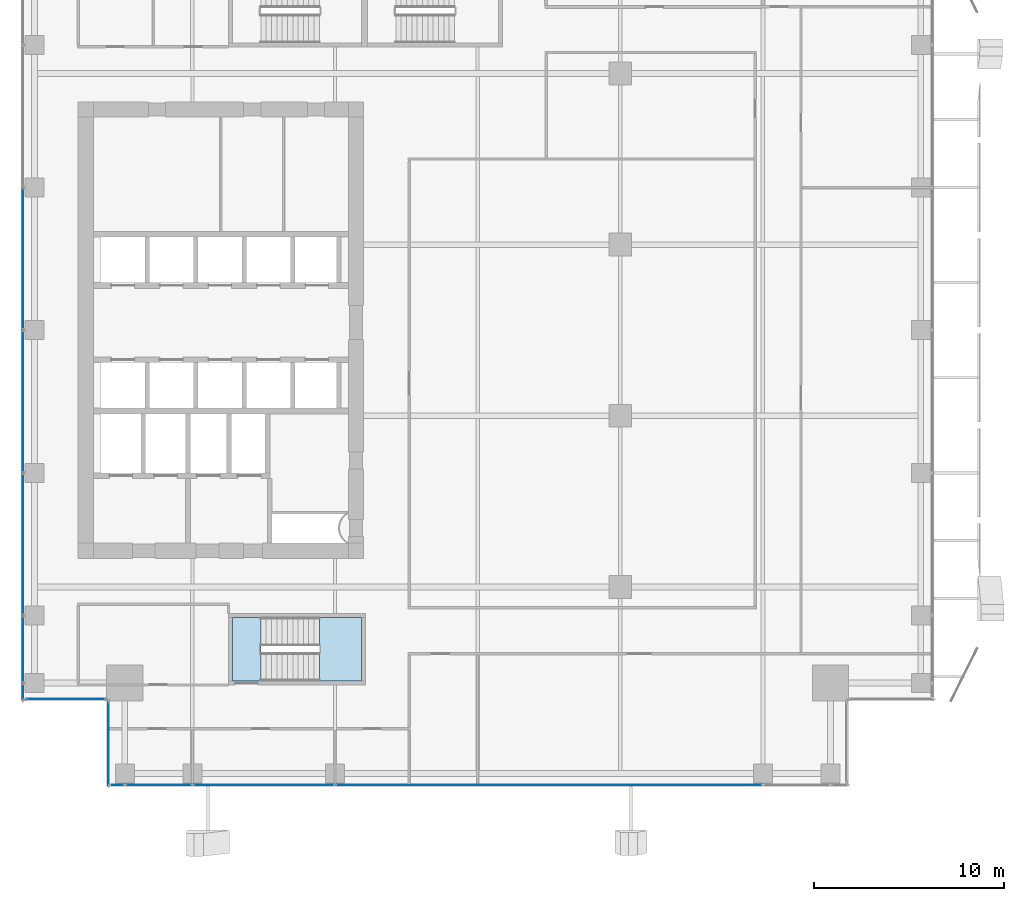
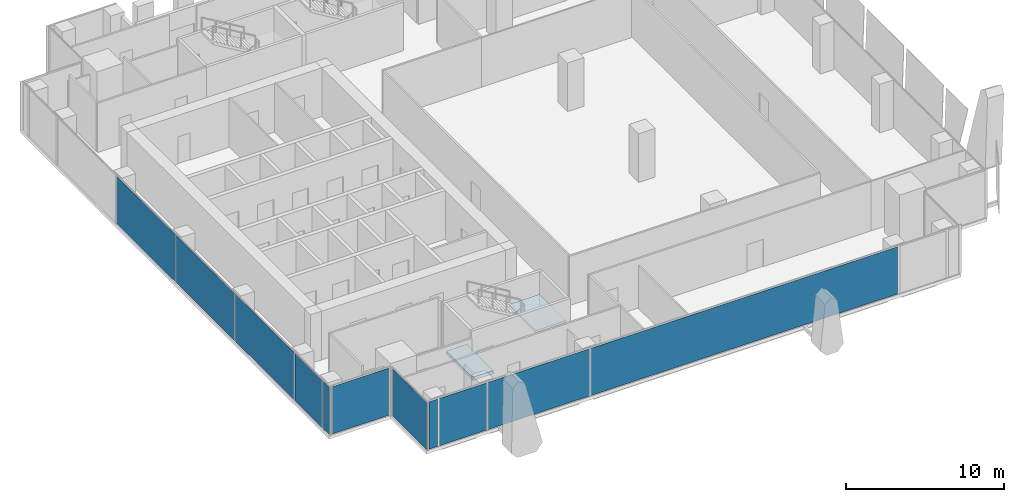
# One storey, part 27 of 38: 11 plates, 2 slabs, 5 elements without a shape of their own.
"""IFC4 building model written with IfcOpenShell, lengths in metres."""

from ifc_helpers import new_model, si_unit, direction, frame, origin, origin_2d, place, context, subcontext, project, spatial, polyline, rectangle, outline, extrude, source, transform, mapped, material, layer, layer_set, type_object, element, aggregate, save


model = new_model("IFC4")

# Units and contexts
model_context = context("Model", 3, precision=1e-05, world=origin(), true_north=direction((0.0, 1.0)))
body_context = subcontext(model_context, "Body", "Model", "MODEL_VIEW")
ifc_project = project(units=[si_unit("LENGTHUNIT", "METRE"), si_unit("AREAUNIT", "SQUARE_METRE"), si_unit("VOLUMEUNIT", "CUBIC_METRE"), si_unit("PLANEANGLEUNIT", "RADIAN"), si_unit("MASSUNIT", "GRAM", prefix="KILO")], contexts=[model_context])

# Site, building, storey
site_placement = place(None, origin())
site = spatial("IfcSite", under=ifc_project, at=site_placement, CompositionType="ELEMENT")
building_placement = place(site_placement, origin())
building = spatial("IfcBuilding", under=site, at=building_placement, Name="Khomas Fold Tower", CompositionType="ELEMENT")
storey_placement = place(building_placement, frame((0.0, 0.0, 208.699951171875)))
storey = spatial("IfcBuildingStorey", under=building, at=storey_placement, Name="L46", CompositionType="ELEMENT", Elevation=208.699951171875)

# Curtain wall, plate
ifc_material_1 = material(Name="Aluminium framed double glazing", Category="aluminium")
curtain_wall_type = type_object("IfcCurtainWallType", Name="SK-Unitised clear-glass wall, office floors CW2", PredefinedType="NOTDEFINED", material=ifc_material_1)
curtain_wall_1_placement = place(storey_placement, origin())
curtain_wall_1 = element("IfcCurtainWall", 1, at=curtain_wall_1_placement, inside=storey, type_object=curtain_wall_type, Name="CW2 corner return L46 11", PredefinedType="NOTDEFINED")
ifc_material_2 = material(Name="Clear double glazed unit")
ifc_layer_1 = layer(ifc_material_2, 0.030029296875)
ifc_layer_set_1 = layer_set([ifc_layer_1], Name="Clear double glazed unit")
plate_type = type_object("IfcPlateType", Name="SK-Unitised clear-glass wall, office floors glass panel CW2-P", PredefinedType="CURTAIN_PANEL", material=ifc_layer_set_1)
shared_shape_1 = source(origin(), body_context, "Body", "SweptSolid", [
    extrude(rectangle(XDim=4.3798828125, YDim=0.030029296875, at=origin_2d()), origin(), (0.0, 0.0, 1.0), 3.639892578125),
])
plate_1_placement = place(storey_placement, frame((7.60009765625, 5.25, 0.0), z_axis=(0.0, 0.0, 1.0), x_axis=(0.0, -1.0, 0.0)))
plate_1 = element("IfcPlate", 2, at=plate_1_placement, type_object=plate_type, Name="CW2 glass panel 1", PredefinedType="CURTAIN_PANEL", context=body_context, shape_type="MappedRepresentation", body=[
    mapped(shared_shape_1, transform((0.0, 0.0, 0.0))),
])
aggregate(curtain_wall_1, [plate_1])

# Curtain wall, plates
curtain_wall_2_placement = place(storey_placement, origin())
curtain_wall_2 = element("IfcCurtainWall", 3, at=curtain_wall_2_placement, inside=storey, type_object=curtain_wall_type, Name="CW2 run L46 00-0", PredefinedType="NOTDEFINED")
shared_shape_2 = source(origin(), body_context, "Body", "SweptSolid", [
    extrude(rectangle(XDim=0.659912109375, YDim=0.030029296875, at=origin_2d()), origin(), (0.0, 0.0, 1.0), 3.639892578125),
])
plate_2_placement = place(storey_placement, frame((8.090087890625, 3.10009765625, 0.0), z_axis=(0.0, 0.0, 1.0), x_axis=(1.0, 0.0, 0.0)))
plate_2 = element("IfcPlate", 4, at=plate_2_placement, type_object=plate_type, Name="CW2 glass panel 1", PredefinedType="CURTAIN_PANEL", context=body_context, shape_type="MappedRepresentation", body=[
    mapped(shared_shape_2, transform((0.0, 0.0, 0.0))),
])
shared_shape_3 = source(origin(), body_context, "Body", "SweptSolid", [
    extrude(rectangle(XDim=3.489990234375, YDim=0.030029296875, at=origin_2d()), origin(), (0.0, 0.0, 1.0), 3.639892578125),
])
plate_3_placement = place(storey_placement, frame((10.22509765625, 3.10009765625, 0.0), z_axis=(0.0, 0.0, 1.0), x_axis=(1.0, 0.0, 0.0)))
plate_3 = element("IfcPlate", 5, at=plate_3_placement, type_object=plate_type, Name="CW2 glass panel 2", PredefinedType="CURTAIN_PANEL", context=body_context, shape_type="MappedRepresentation", body=[
    mapped(shared_shape_3, transform((0.0, 0.0, 0.0))),
])

# Curtain wall, plate
curtain_wall_3_placement = place(storey_placement, origin())
curtain_wall_3 = element("IfcCurtainWall", 6, at=curtain_wall_3_placement, inside=storey, type_object=curtain_wall_type, Name="CW2 run L46 09-0", PredefinedType="NOTDEFINED")
plate_4_placement = place(storey_placement, frame((3.10009765625, 10.22509765625, 0.0), z_axis=(0.0, 0.0, 1.0), x_axis=(0.0, -1.0, 0.0)))
plate_4 = element("IfcPlate", 7, at=plate_4_placement, type_object=plate_type, Name="CW2 glass panel 7", PredefinedType="CURTAIN_PANEL", context=body_context, shape_type="MappedRepresentation", body=[
    mapped(shared_shape_3, transform((0.0, 0.0, 0.0))),
])

# Plate
shared_shape_4 = source(origin(), body_context, "Body", "SweptSolid", [
    extrude(rectangle(XDim=7.43994140625, YDim=0.030029296875, at=origin_2d()), origin(), (0.0, 0.0, 1.0), 3.639892578125),
])
plate_5_placement = place(storey_placement, frame((15.75, 3.10009765625, 0.0), z_axis=(0.0, 0.0, 1.0), x_axis=(1.0, 0.0, 0.0)))
plate_5 = element("IfcPlate", 8, at=plate_5_placement, type_object=plate_type, Name="CW2 glass panel 3", PredefinedType="CURTAIN_PANEL", context=body_context, shape_type="MappedRepresentation", body=[
    mapped(shared_shape_4, transform((0.0, 0.0, 0.0))),
])

plate_6_placement = place(storey_placement, frame((3.10009765625, 30.75, 0.0), z_axis=(0.0, 0.0, 1.0), x_axis=(0.0, -1.0, 0.0)))
plate_6 = element("IfcPlate", 9, at=plate_6_placement, type_object=plate_type, Name="CW2 glass panel 4", PredefinedType="CURTAIN_PANEL", context=body_context, shape_type="MappedRepresentation", body=[
    mapped(shared_shape_4, transform((0.0, 0.0, 0.0))),
])

plate_7_placement = place(storey_placement, frame((3.10009765625, 23.25, 0.0), z_axis=(0.0, 0.0, 1.0), x_axis=(0.0, -1.0, 0.0)))
plate_7 = element("IfcPlate", 10, at=plate_7_placement, type_object=plate_type, Name="CW2 glass panel 5", PredefinedType="CURTAIN_PANEL", context=body_context, shape_type="MappedRepresentation", body=[
    mapped(shared_shape_4, transform((0.0, 0.0, 0.0))),
])

plate_8_placement = place(storey_placement, frame((3.10009765625, 15.75, 0.0), z_axis=(0.0, 0.0, 1.0), x_axis=(0.0, -1.0, 0.0)))
plate_8 = element("IfcPlate", 11, at=plate_8_placement, type_object=plate_type, Name="CW2 glass panel 6", PredefinedType="CURTAIN_PANEL", context=body_context, shape_type="MappedRepresentation", body=[
    mapped(shared_shape_4, transform((0.0, 0.0, 0.0))),
])

# Curtain wall, plate
curtain_wall_4_placement = place(storey_placement, origin())
curtain_wall_4 = element("IfcCurtainWall", 12, at=curtain_wall_4_placement, inside=storey, type_object=curtain_wall_type, Name="CW2 corner return L46 10", PredefinedType="NOTDEFINED")
shared_shape_5 = source(origin(), body_context, "Body", "SweptSolid", [
    extrude(rectangle(XDim=4.179931640625, YDim=0.030029296875, at=origin_2d()), origin(), (0.0, 0.0, 1.0), 3.639892578125),
])
plate_9_placement = place(storey_placement, frame((5.35009765625, 7.60009765625, 0.0), z_axis=(0.0, 0.0, 1.0), x_axis=(1.0, 0.0, 0.0)))
plate_9 = element("IfcPlate", 13, at=plate_9_placement, type_object=plate_type, Name="CW2 glass panel 1", PredefinedType="CURTAIN_PANEL", context=body_context, shape_type="MappedRepresentation", body=[
    mapped(shared_shape_5, transform((0.0, 0.0, 0.0))),
])
aggregate(curtain_wall_4, [plate_9])

# Plate
shared_shape_6 = source(origin(), body_context, "Body", "SweptSolid", [
    extrude(rectangle(XDim=0.860107421875, YDim=0.030029296875, at=origin_2d()), origin(), (0.0, 0.0, 1.0), 3.639892578125),
])
plate_10_placement = place(storey_placement, frame((3.10009765625, 7.989990234375, 0.0), z_axis=(0.0, 0.0, 1.0), x_axis=(0.0, -1.0, 0.0)))
plate_10 = element("IfcPlate", 14, at=plate_10_placement, type_object=plate_type, Name="CW2 glass panel 8", PredefinedType="CURTAIN_PANEL", context=body_context, shape_type="MappedRepresentation", body=[
    mapped(shared_shape_6, transform((0.0, 0.0, 0.0))),
])

aggregate(curtain_wall_3, [plate_6, plate_7, plate_8, plate_4, plate_10])

shared_shape_7 = source(origin(), body_context, "Body", "SweptSolid", [
    extrude(rectangle(XDim=22.43994140625, YDim=0.030029296875, at=origin_2d()), origin(), (0.0, 0.0, 1.0), 3.639892578125),
])
plate_11_placement = place(storey_placement, frame((30.75, 3.10009765625, 0.0), z_axis=(0.0, 0.0, 1.0), x_axis=(1.0, 0.0, 0.0)))
plate_11 = element("IfcPlate", 15, at=plate_11_placement, type_object=plate_type, Name="CW2 glass panel 4", PredefinedType="CURTAIN_PANEL", context=body_context, shape_type="MappedRepresentation", body=[
    mapped(shared_shape_7, transform((0.0, 0.0, 0.0))),
])

aggregate(curtain_wall_2, [plate_2, plate_3, plate_5, plate_11])

# Stair, slab
ifc_material_3 = material(Name="Concrete C40/50", Category="concrete")
stair_type = type_object("IfcStairType", Name="Stair ST2", PredefinedType="HALF_TURN_STAIR", material=ifc_material_3)
stair_placement = place(storey_placement, origin())
stair = element("IfcStair", 16, at=stair_placement, inside=storey, type_object=stair_type, Name="L46 ST2", PredefinedType="HALF_TURN_STAIR")
ifc_material_4 = material(Name="Concrete C40/50", Category="concrete")
ifc_layer_2 = layer(ifc_material_4, 0.199951171875)
ifc_layer_set_2 = layer_set([ifc_layer_2], Name="Concrete C40/50")
slab_type_1 = type_object("IfcSlabType", Name="Stair landing 200", PredefinedType="LANDING", material=ifc_layer_set_2)
shared_shape_8 = source(origin(), body_context, "Body", "SweptSolid", [
    extrude(outline(polyline([(18.679931640625, 8.550048828125), (20.89990234375, 8.550048828125), (20.89990234375, 11.89990234375), (18.679931640625, 11.89990234375), (18.679931640625, 8.550048828125)])), origin(), (0.0, 0.0, 1.0), 0.199951171875),
])
slab_1_placement = place(storey_placement, frame((0.0, 0.0, 1.800048828125)))
slab_1 = element("IfcSlab", 17, at=slab_1_placement, type_object=slab_type_1, Name="ST2 landing 1", PredefinedType="LANDING", context=body_context, shape_type="MappedRepresentation", body=[
    mapped(shared_shape_8, transform((0.0, 0.0, 0.0))),
])
aggregate(stair, [slab_1])

# Slab
ifc_material_5 = material(Name="Concrete C40/50", Category="concrete")
ifc_layer_3 = layer(ifc_material_5, 0.25)
ifc_layer_set_3 = layer_set([ifc_layer_3], Name="Concrete C40/50")
slab_type_2 = type_object("IfcSlabType", Name="Stair floor landing 250", PredefinedType="LANDING", material=ifc_layer_set_3)
shared_shape_9 = source(origin(), body_context, "Body", "SweptSolid", [
    extrude(outline(polyline([(15.60009765625, 8.550048828125), (14.10009765625, 8.550048828125), (14.10009765625, 11.89990234375), (15.60009765625, 11.89990234375), (15.60009765625, 8.550048828125)])), origin(), (0.0, 0.0, 1.0), 0.25),
])
slab_2_placement = place(storey_placement, frame((0.0, 0.0, -0.25)))
element("IfcSlab", 18, at=slab_2_placement, inside=storey, type_object=slab_type_2, Name="ST2 floor landing", PredefinedType="LANDING", context=body_context, shape_type="MappedRepresentation", body=[
    mapped(shared_shape_9, transform((0.0, 0.0, 0.0))),
])

save(model, "model.ifc")
